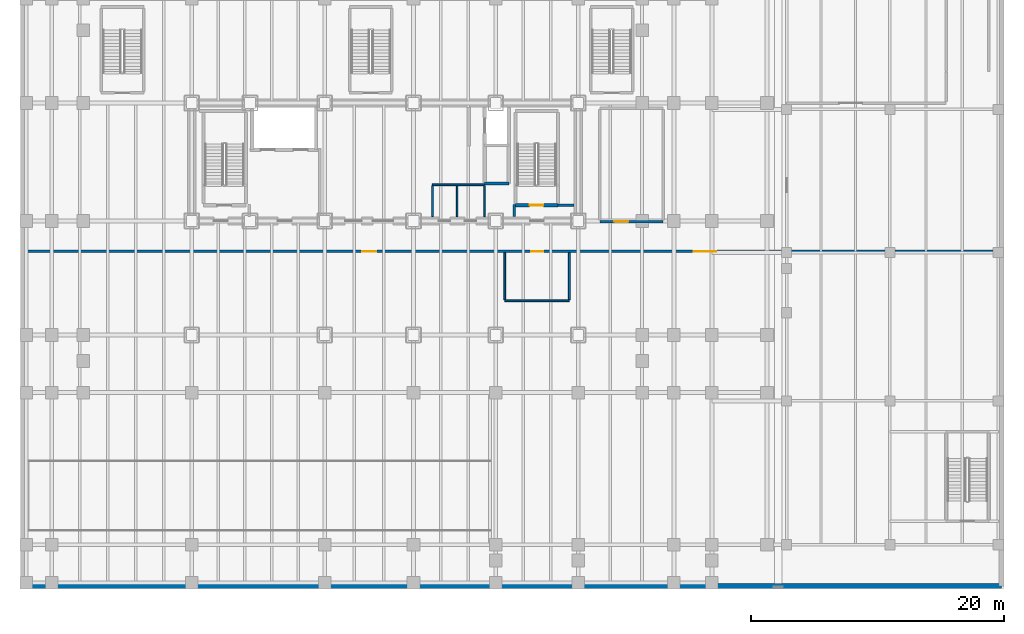
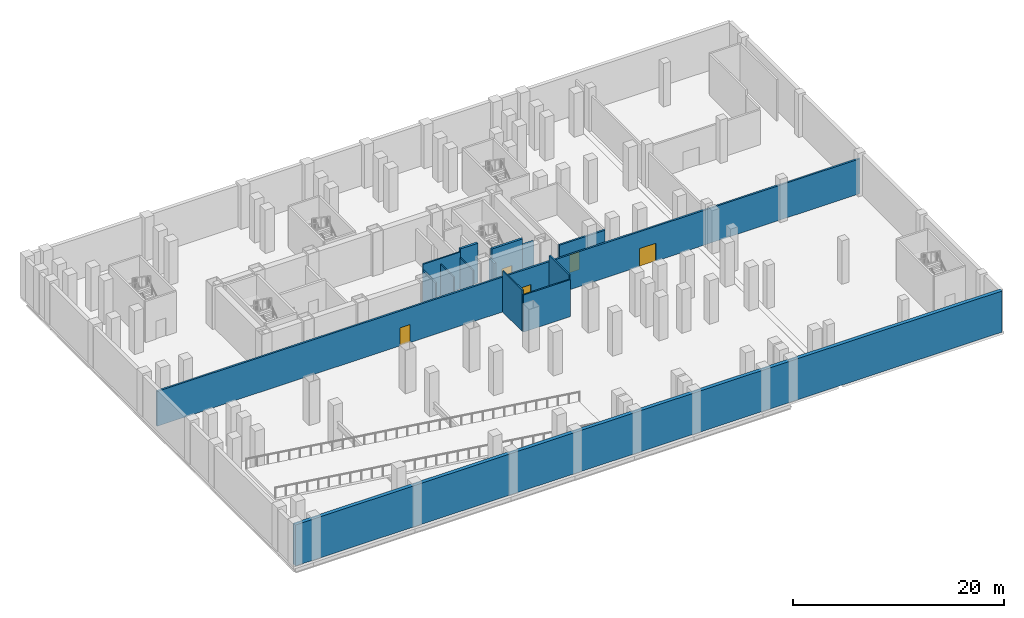
# One storey, part 9 of 18: 14 walls, 5 doors, 5 openings.
"""IFC4 building model written with IfcOpenShell, lengths in metres."""

import ifcopenshell
import ifcopenshell.guid

model = None  # the IFC model being written
_history = None  # IfcOwnerHistory: only IFC2X3 demands one
_inside = {}  # id of a spatial element -> (the spatial element, [elements in it])
_under = {}  # id of a project, library or spatial element -> (it, [spatial elements below it])
_declared = {}  # id of a project -> (the project, [libraries it declares])
_typed = {}  # id of a type object -> (the type object, [elements of that type])
_made_of = {}  # id of a material, layer set ... -> (it, [elements and type objects made of it])


def new_model(schema):
    """Start an empty IFC model of exactly this schema.

    Asked for "IFC4X3", IfcOpenShell would pick the latest addendum, in which some entities
    have other attributes; the version numbers below select the first issue.
    IFC2X3 requires an IfcOwnerHistory on every rooted entity: one is made here for all.
    """
    global model, _history
    if schema == "IFC4X3":
        model = ifcopenshell.file(schema_version=(4, 3, 0, 0))
    else:
        model = ifcopenshell.file(schema=schema)
    _inside.clear()
    _under.clear()
    _declared.clear()
    _typed.clear()
    _made_of.clear()
    _history = None
    if model.schema == "IFC2X3":
        org = make("IfcOrganization", Name="unknown")
        user = make(
            "IfcPersonAndOrganization",
            ThePerson=make("IfcPerson", FamilyName="unknown"),
            TheOrganization=org,
        )
        app = make(
            "IfcApplication",
            ApplicationDeveloper=org,
            Version="unknown",
            ApplicationFullName="unknown",
            ApplicationIdentifier="unknown",
        )
        _history = make(
            "IfcOwnerHistory",
            OwningUser=user,
            OwningApplication=app,
            ChangeAction="ADDED",
            CreationDate=0,
        )
    return model


def make(cls, **values):
    """One entity of the class cls with the attributes given. An attribute that is None is left unset."""
    return model.create_entity(
        cls, **{name: value for name, value in values.items() if value is not None}
    )


def rooted(cls, **values):
    """An entity with a GlobalId (a new one), such as an element, a storey or a relation."""
    return make(cls, GlobalId=ifcopenshell.guid.new(), OwnerHistory=_history, **values)


def si_unit(unit_type, name, prefix=None):
    """IfcSIUnit, for example si_unit("LENGTHUNIT", "METRE", prefix="MILLI")."""
    return make("IfcSIUnit", UnitType=unit_type, Prefix=prefix, Name=name)


def assignment(units):
    """IfcUnitAssignment: the units of a project."""
    return None if units is None else make("IfcUnitAssignment", Units=units)


def point(xyz):
    """IfcCartesianPoint."""
    return None if xyz is None else make("IfcCartesianPoint", Coordinates=xyz)


def direction(xyz):
    """IfcDirection."""
    return None if xyz is None else make("IfcDirection", DirectionRatios=xyz)


def frame(location, z_axis=None, x_axis=None):
    """IfcAxis2Placement3D, a coordinate frame: its origin and axes. An axis left out is left unset."""
    return make(
        "IfcAxis2Placement3D",
        Location=point(location),
        Axis=direction(z_axis),
        RefDirection=direction(x_axis),
    )


def frame_2d(location, x_axis=None):
    """IfcAxis2Placement2D, a coordinate frame in the plane: its origin and x axis."""
    return make(
        "IfcAxis2Placement2D", Location=point(location), RefDirection=direction(x_axis)
    )


def origin():
    """The frame at (0, 0, 0) with its axes left unset."""
    return frame((0.0, 0.0, 0.0))


def place(relative_to, where):
    """IfcLocalPlacement: puts the frame where relative to a parent placement (None: the world)."""
    return make(
        "IfcLocalPlacement", PlacementRelTo=relative_to, RelativePlacement=where
    )


def context(
    kind, dimensions, precision=None, world=None, true_north=None, identifier=None
):
    """IfcGeometricRepresentationContext, for example the 3D "Model" context."""
    return make(
        "IfcGeometricRepresentationContext",
        ContextIdentifier=identifier,
        ContextType=kind,
        CoordinateSpaceDimension=dimensions,
        Precision=precision,
        WorldCoordinateSystem=world,
        TrueNorth=true_north,
    )


def subcontext(parent, identifier, kind, view, scale=None):
    """IfcGeometricRepresentationSubContext, for example "Body" below "Model"."""
    return make(
        "IfcGeometricRepresentationSubContext",
        ContextIdentifier=identifier,
        ContextType=kind,
        ParentContext=parent,
        TargetScale=scale,
        TargetView=view,
    )


def project(units=None, contexts=None):
    """IfcProject with its units and contexts."""
    return rooted(
        "IfcProject",
        Name="project",
        RepresentationContexts=contexts,
        UnitsInContext=assignment(units),
    )


def spatial(cls, under=None, at=None, **own):
    """A site, building, storey or space (cls), placed at a placement, below another one or the project."""
    s = rooted(cls, ObjectPlacement=at, **own)
    if under is not None:
        _under.setdefault(under.id(), (under, []))[1].append(s)
    return s


def profile(cls, at=None, kind="AREA", **sizes):
    """A parametric profile (cls). Its sizes go by their IFC names, for example OverallWidth=200.0."""
    return make(cls, ProfileType=kind, Position=at, **sizes)


def rectangle(**sizes):
    """IfcRectangleProfileDef."""
    return profile("IfcRectangleProfileDef", **sizes)


def extrude(swept, where, along, depth):
    """IfcExtrudedAreaSolid: the profile swept, set in the frame where, extruded along a direction by depth."""
    return make(
        "IfcExtrudedAreaSolid",
        SweptArea=swept,
        Position=where,
        ExtrudedDirection=direction(along),
        Depth=depth,
    )


def shape(context_of_items, identifier, shape_type, items):
    """IfcShapeRepresentation: the items that make up one representation, for example the "Body"."""
    return make(
        "IfcShapeRepresentation",
        ContextOfItems=context_of_items,
        RepresentationIdentifier=identifier,
        RepresentationType=shape_type,
        Items=items,
    )


def material(Name=None, Category=None):
    """IfcMaterial."""
    return make("IfcMaterial", Name=Name, Category=Category)


def layer(
    of_material, thickness, ventilated=None, Name=None, Category=None, Priority=None
):
    """IfcMaterialLayer: one layer of a wall or slab, of a material (None: an air gap)."""
    return make(
        "IfcMaterialLayer",
        Material=of_material,
        LayerThickness=thickness,
        IsVentilated=ventilated,
        Name=Name,
        Category=Category,
        Priority=Priority,
    )


def layer_set(layers, Name=None):
    """IfcMaterialLayerSet."""
    return make("IfcMaterialLayerSet", MaterialLayers=layers, LayerSetName=Name)


def made_of(thing, what):
    """Note that an element or type object is made of a material, layer set ...; save() writes the relation."""
    if what is not None:
        _made_of.setdefault(what.id(), (what, []))[1].append(thing)
    return thing


def type_object(cls, material=None, **own):
    """A type object (cls), such as IfcWallType, which elements share."""
    return made_of(rooted(cls, **own), material)


def element(
    cls,
    number,
    at=None,
    inside=None,
    cuts=None,
    type_object=None,
    material=None,
    context=None,
    identifier="Body",
    shape_type=None,
    held_by="IfcProductDefinitionShape",
    body=None,
    shapes=None,
    **own,
):
    """One element of the class cls, such as IfcWall. Its Tag is "e" and its number.

    at: its placement. inside: the storey or other place that contains it. cuts: it is an
    opening in that element (IfcRelVoidsElement). A single representation is given by context,
    identifier, shape_type and body (its items); several are given by shapes. held_by: the class
    of the entity that holds the representations. save() writes the other relations.
    """
    e = rooted(cls, Tag="e%d" % number, ObjectPlacement=at, **own)
    if body is not None:
        shapes = [shape(context, identifier, shape_type, body)]
    if shapes is not None:
        e.Representation = make(held_by, Representations=shapes)
    if inside is not None:
        _inside.setdefault(inside.id(), (inside, []))[1].append(e)
    if cuts is not None:
        rooted(
            "IfcRelVoidsElement", RelatingBuildingElement=cuts, RelatedOpeningElement=e
        )
    if type_object is not None:
        _typed.setdefault(type_object.id(), (type_object, []))[1].append(e)
    return made_of(e, material)


def fill(opening, filler):
    """IfcRelFillsElement: the door or window that sits in an opening."""
    return rooted(
        "IfcRelFillsElement",
        RelatingOpeningElement=opening,
        RelatedBuildingElement=filler,
    )


def aggregate(whole, parts):
    """IfcRelAggregates: a whole, such as a stair, and the parts it consists of."""
    return rooted("IfcRelAggregates", RelatingObject=whole, RelatedObjects=parts)


def save(model, path):
    """Write the relations noted so far, then the file.

    IfcRelAggregates (storeys below a building ...), IfcRelContainedInSpatialStructure (elements
    in a storey), IfcRelDefinesByType, IfcRelAssociatesMaterial and IfcRelDeclares: one each for
    every whole, place, type object, material and project.
    """
    for whole, parts in _under.values():
        aggregate(whole, parts)
    for where, things in _inside.values():
        rooted(
            "IfcRelContainedInSpatialStructure",
            RelatedElements=things,
            RelatingStructure=where,
        )
    for kind, things in _typed.values():
        rooted("IfcRelDefinesByType", RelatedObjects=things, RelatingType=kind)
    for what, things in _made_of.values():
        rooted("IfcRelAssociatesMaterial", RelatedObjects=things, RelatingMaterial=what)
    for by, libraries in _declared.values():
        rooted("IfcRelDeclares", RelatingContext=by, RelatedDefinitions=libraries)
    model.write(path)


model = new_model("IFC4")

# Units and contexts
model_context = context("Model", 3, precision=1e-05, world=origin(), true_north=direction((0.0, 1.0)))
body_context = subcontext(model_context, "Body", "Model", "MODEL_VIEW")
ifc_project = project(units=[si_unit("LENGTHUNIT", "METRE"), si_unit("AREAUNIT", "SQUARE_METRE"), si_unit("VOLUMEUNIT", "CUBIC_METRE"), si_unit("PLANEANGLEUNIT", "RADIAN"), si_unit("MASSUNIT", "GRAM", prefix="KILO")], contexts=[model_context])

# Site, building, storey
site_placement = place(None, origin())
site = spatial("IfcSite", under=ifc_project, at=site_placement, CompositionType="ELEMENT")
building_placement = place(site_placement, origin())
building = spatial("IfcBuilding", under=site, at=building_placement, Name="Noeulbin Bourse Tower", CompositionType="ELEMENT")
storey_placement = place(building_placement, frame((0.0, 0.0, -5.0)))
storey = spatial("IfcBuildingStorey", under=building, at=storey_placement, Name="B01", CompositionType="ELEMENT", Elevation=-5.0)

# Wall, openings, doors
ifc_material_1 = material(Name="Concrete C40/50", Category="concrete")
ifc_layer_1 = layer(ifc_material_1, 0.199951171875)
ifc_layer_set_1 = layer_set([ifc_layer_1], Name="Concrete C40/50")
wall_type_1 = type_object("IfcWallType", Name="WAL-FIRE-200", PredefinedType="STANDARD", material=ifc_layer_set_1)
wall_1_placement = place(storey_placement, frame((0.39990234375, 26.60009765625, 0.0), z_axis=(0.0, 0.0, 1.0), x_axis=(1.0, 0.0, 0.0)))
wall_1 = element("IfcWall", 1, at=wall_1_placement, inside=storey, type_object=wall_type_1, Name="Interior Partition Wall B01-01", PredefinedType="STANDARD", context=body_context, shape_type="SweptSolid", body=[
    extrude(rectangle(XDim=76.800048828125, YDim=0.199951171875, at=frame_2d((38.39990234375, 0.0))), origin(), (0.0, 0.0, 1.0), 4.030029296875),
])
opening_1_placement = place(wall_1_placement, frame((26.550048828125, 0.0, 0.0)))
opening_1 = element("IfcOpeningElement", 2, at=opening_1_placement, cuts=wall_1, Name="Opening FD-11", PredefinedType="OPENING", context=body_context, shape_type="SweptSolid", body=[
    extrude(rectangle(XDim=1.10009765625, YDim=2.080078125, at=frame_2d((0.550048828125, 1.0400390625))), frame((0.0, 0.10986328125, 0.0), z_axis=(0.0, -1.0, 0.0), x_axis=(1.0, 0.0, 0.0)), (0.0, 0.0, 1.0), 0.219970703125),
])
opening_2_placement = place(wall_1_placement, frame((39.875, 0.0, 0.0)))
opening_2 = element("IfcOpeningElement", 3, at=opening_2_placement, cuts=wall_1, Name="Opening ID-09", PredefinedType="OPENING", context=body_context, shape_type="SweptSolid", body=[
    extrude(rectangle(XDim=0.949951171875, YDim=2.080078125, at=frame_2d((0.47509765625, 1.0400390625))), frame((0.0, 0.10986328125, 0.0), z_axis=(0.0, -1.0, 0.0), x_axis=(1.0, 0.0, 0.0)), (0.0, 0.0, 1.0), 0.219970703125),
])
opening_3_placement = place(wall_1_placement, frame((52.699951171875, 0.0, 0.0)))
opening_3 = element("IfcOpeningElement", 4, at=opening_3_placement, cuts=wall_1, Name="Opening ID-18", PredefinedType="OPENING", context=body_context, shape_type="SweptSolid", body=[
    extrude(rectangle(XDim=1.800048828125, YDim=2.080078125, at=frame_2d((0.89990234375, 1.0400390625))), frame((0.0, 0.10986328125, 0.0), z_axis=(0.0, -1.0, 0.0), x_axis=(1.0, 0.0, 0.0)), (0.0, 0.0, 1.0), 0.219970703125),
])
ifc_material_2 = material(Name="Fire-Rated Glazed Steel", Category="steel")
door_type_1 = type_object("IfcDoorType", Name="DR-DBL-1800", OperationType="DOUBLE_DOOR_SINGLE_SWING", PredefinedType="DOOR", material=ifc_material_2)
door_1_placement = place(opening_3_placement, origin())
door_1 = element("IfcDoor", 5, at=door_1_placement, inside=storey, type_object=door_type_1, Name="Interior Door B01-03", OperationType="DOUBLE_DOOR_SINGLE_SWING", OverallHeight=2.080078125, OverallWidth=1.800048828125, PredefinedType="DOOR", context=body_context, shape_type="SweptSolid", body=[
    extrude(rectangle(XDim=1.800048828125, YDim=2.080078125, at=frame_2d((0.89990234375, 1.0400390625))), frame((0.0, 0.02490234375, 0.0), z_axis=(0.0, -1.0, 0.0), x_axis=(1.0, 0.0, 0.0)), (0.0, 0.0, 1.0), 0.050048828125),
])
fill(opening_3, door_1)
ifc_material_3 = material(Name="Fire-Rated Insulated Steel", Category="steel")
door_type_2 = type_object("IfcDoorType", Name="DR-FD60-1100", OperationType="SINGLE_SWING_LEFT", PredefinedType="DOOR", material=ifc_material_3)
door_2_placement = place(opening_1_placement, origin())
door_2 = element("IfcDoor", 6, at=door_2_placement, inside=storey, type_object=door_type_2, Name="Interior Door B01-01", OperationType="SINGLE_SWING_LEFT", OverallHeight=2.080078125, OverallWidth=1.10009765625, PredefinedType="DOOR", context=body_context, shape_type="SweptSolid", body=[
    extrude(rectangle(XDim=1.10009765625, YDim=2.080078125, at=frame_2d((0.550048828125, 1.0400390625))), frame((0.0, 0.02490234375, 0.0), z_axis=(0.0, -1.0, 0.0), x_axis=(1.0, 0.0, 0.0)), (0.0, 0.0, 1.0), 0.050048828125),
])
fill(opening_1, door_2)
ifc_material_4 = material(Name="Acoustic Solid-Core Timber", Category="wood")
door_type_3 = type_object("IfcDoorType", Name="DR-SINGLE-950", OperationType="SINGLE_SWING_LEFT", PredefinedType="DOOR", material=ifc_material_4)
door_3_placement = place(opening_2_placement, origin())
door_3 = element("IfcDoor", 7, at=door_3_placement, inside=storey, type_object=door_type_3, Name="Interior Door B01-02", OperationType="SINGLE_SWING_RIGHT", OverallHeight=2.080078125, OverallWidth=0.949951171875, PredefinedType="DOOR", context=body_context, shape_type="SweptSolid", body=[
    extrude(rectangle(XDim=0.949951171875, YDim=2.080078125, at=frame_2d((0.47509765625, 1.0400390625))), frame((0.0, 0.02490234375, 0.0), z_axis=(0.0, -1.0, 0.0), x_axis=(1.0, 0.0, 0.0)), (0.0, 0.0, 1.0), 0.050048828125),
])
fill(opening_2, door_3)

# Wall, opening, door
wall_2_placement = place(storey_placement, frame((45.699951171875, 28.949951171875, 0.0), z_axis=(0.0, 0.0, 1.0), x_axis=(1.0, 0.0, 0.0)))
wall_2 = element("IfcWall", 8, at=wall_2_placement, inside=storey, type_object=wall_type_1, Name="Interior Partition Wall B01-03", PredefinedType="STANDARD", context=body_context, shape_type="SweptSolid", body=[
    extrude(rectangle(XDim=5.0, YDim=0.199951171875, at=frame_2d((2.5, 0.0))), origin(), (0.0, 0.0, 1.0), 3.6298828125),
])
opening_4_placement = place(wall_2_placement, frame((1.14990234375, 0.0, 0.0)))
opening_4 = element("IfcOpeningElement", 9, at=opening_4_placement, cuts=wall_2, Name="Opening FD-11", PredefinedType="OPENING", context=body_context, shape_type="SweptSolid", body=[
    extrude(rectangle(XDim=1.10009765625, YDim=2.080078125, at=frame_2d((0.550048828125, 1.0400390625))), frame((0.0, 0.10986328125, 0.0), z_axis=(0.0, -1.0, 0.0), x_axis=(1.0, 0.0, 0.0)), (0.0, 0.0, 1.0), 0.219970703125),
])
door_4_placement = place(opening_4_placement, origin())
door_4 = element("IfcDoor", 10, at=door_4_placement, inside=storey, type_object=door_type_2, Name="Interior Door B01-04", OperationType="SINGLE_SWING_RIGHT", OverallHeight=2.080078125, OverallWidth=1.10009765625, PredefinedType="DOOR", context=body_context, shape_type="SweptSolid", body=[
    extrude(rectangle(XDim=1.10009765625, YDim=2.080078125, at=frame_2d((0.550048828125, 1.0400390625))), frame((0.0, 0.02490234375, 0.0), z_axis=(0.0, -1.0, 0.0), x_axis=(1.0, 0.0, 0.0)), (0.0, 0.0, 1.0), 0.050048828125),
])
fill(opening_4, door_4)

# Walls
wall_3_placement = place(storey_placement, frame((42.39990234375, 30.239990234375, 0.0), z_axis=(0.0, 0.0, 1.0), x_axis=(1.0, 0.0, 0.0)))
element("IfcWall", 11, at=wall_3_placement, inside=storey, type_object=wall_type_1, Name="Interior Partition Wall B01-06", PredefinedType="STANDARD", context=body_context, shape_type="SweptSolid", body=[
    extrude(rectangle(XDim=1.26513671875, YDim=0.199951171875, at=frame_2d((0.632568359375, 0.0))), origin(), (0.0, 0.0, 1.0), 4.030029296875),
])
wall_4_placement = place(storey_placement, frame((38.949951171875, 29.3349609375, 0.0), z_axis=(0.0, 0.0, 1.0), x_axis=(0.0, 1.0, 0.0)))
element("IfcWall", 12, at=wall_4_placement, inside=storey, type_object=wall_type_1, Name="Interior Partition Wall B01-15", PredefinedType="STANDARD", context=body_context, shape_type="SweptSolid", body=[
    extrude(rectangle(XDim=0.965087890625, YDim=0.199951171875, at=frame_2d((0.482421875, 0.0))), origin(), (0.0, 0.0, 1.0), 3.6298828125),
])
ifc_material_5 = material(Name="Steel Stud Gypsum Partition", Category="steel")
ifc_layer_2 = layer(ifc_material_5, 0.1201171875)
ifc_layer_set_2 = layer_set([ifc_layer_2], Name="Steel Stud Gypsum Partition")
wall_type_2 = type_object("IfcWallType", Name="WAL-PRT-120", PredefinedType="PARTITIONING", material=ifc_layer_set_2)
for number, where, z_axis, x_axis, name in (
    (13, (36.60009765625, 29.3349609375, 0.0), (0.0, 0.0, 1.0), (0.0, 1.0, 0.0), "Interior Partition Wall B01-18"),
    (14, (34.449951171875, 29.3349609375, 0.0), (0.0, 0.0, 1.0), (0.0, 1.0, 0.0), "Interior Partition Wall B01-19"),
):
    element("IfcWall", number, at=place(storey_placement, frame(where, z_axis=z_axis, x_axis=x_axis)), inside=storey, type_object=wall_type_2, Name=name, PredefinedType="PARTITIONING", context=body_context, shape_type="SweptSolid", body=[
        extrude(rectangle(XDim=2.429931640625, YDim=0.1201171875, at=frame_2d((1.21484375, 0.0))), origin(), (0.0, 0.0, 1.0), 3.6298828125),
    ])
ifc_material_6 = material(Name="Steel Stud Acoustic Gypsum Board", Category="steel")
ifc_layer_3 = layer(ifc_material_6, 0.14990234375)
ifc_layer_set_3 = layer_set([ifc_layer_3], Name="Steel Stud Acoustic Gypsum Board")
wall_type_3 = type_object("IfcWallType", Name="WAL-PRT-150", PredefinedType="PARTITIONING", material=ifc_layer_set_3)
wall_5_placement = place(storey_placement, frame((38.199951171875, 22.699951171875, 0.0), z_axis=(0.0, 0.0, 1.0), x_axis=(1.0, 0.0, 0.0)))
element("IfcWall", 15, at=wall_5_placement, inside=storey, type_object=wall_type_3, Name="Interior Partition Wall B01-02", PredefinedType="PARTITIONING", context=body_context, shape_type="SweptSolid", body=[
    extrude(rectangle(XDim=5.10009765625, YDim=0.14990234375, at=frame_2d((2.550048828125, 0.0))), origin(), (0.0, 0.0, 1.0), 4.280029296875),
])
wall_6_placement = place(storey_placement, frame((32.5, 31.85009765625, 0.0), z_axis=(0.0, 0.0, 1.0), x_axis=(1.0, 0.0, 0.0)))
element("IfcWall", 16, at=wall_6_placement, inside=storey, type_object=wall_type_3, Name="Interior Partition Wall B01-07", PredefinedType="PARTITIONING", context=body_context, shape_type="SweptSolid", body=[
    extrude(rectangle(XDim=4.10009765625, YDim=0.14990234375, at=frame_2d((2.050048828125, 0.0))), origin(), (0.0, 0.0, 1.0), 4.280029296875),
])
for number, where, z_axis, x_axis, name in (
    (17, (38.199951171875, 22.784912109375, 0.0), (0.0, 0.0, 1.0), (0.0, 1.0, 0.0), "Interior Partition Wall B01-08"),
    (18, (43.300048828125, 22.784912109375, 0.0), (0.0, 0.0, 1.0), (0.0, 1.0, 0.0), "Interior Partition Wall B01-09"),
):
    element("IfcWall", number, at=place(storey_placement, frame(where, z_axis=z_axis, x_axis=x_axis)), inside=storey, type_object=wall_type_3, Name=name, PredefinedType="PARTITIONING", context=body_context, shape_type="SweptSolid", body=[
        extrude(rectangle(XDim=3.705078125, YDim=0.14990234375, at=frame_2d((1.8525390625, 0.0))), origin(), (0.0, 0.0, 1.0), 4.75),
    ])
wall_7_placement = place(storey_placement, frame((32.5, 29.3349609375, 0.0), z_axis=(0.0, 0.0, 1.0), x_axis=(0.0, 1.0, 0.0)))
element("IfcWall", 19, at=wall_7_placement, inside=storey, type_object=wall_type_3, Name="Interior Partition Wall B01-17", PredefinedType="PARTITIONING", context=body_context, shape_type="SweptSolid", body=[
    extrude(rectangle(XDim=2.429931640625, YDim=0.14990234375, at=frame_2d((1.21484375, 0.0))), origin(), (0.0, 0.0, 1.0), 3.6298828125),
])
ifc_material_7 = material(Name="Concrete C50/60", Category="concrete")
ifc_layer_4 = layer(ifc_material_7, 0.39990234375)
ifc_layer_set_4 = layer_set([ifc_layer_4], Name="Concrete C50/60")
wall_type_4 = type_object("IfcWallType", Name="WAL-RET-400", PredefinedType="SOLIDWALL", material=ifc_layer_set_4)
wall_8_placement = place(storey_placement, frame((0.199951171875, 0.199951171875, 0.0), z_axis=(0.0, 0.0, 1.0), x_axis=(1.0, 0.0, 0.0)))
element("IfcWall", 20, at=wall_8_placement, inside=storey, type_object=wall_type_4, Name="Basement Perimeter Retaining Wall B01-S", PredefinedType="SOLIDWALL", context=body_context, shape_type="SweptSolid", body=[
    extrude(rectangle(XDim=77.199951171875, YDim=0.39990234375, at=frame_2d((38.60009765625, 0.0))), origin(), (0.0, 0.0, 1.0), 4.75),
])

# Wall, opening, door
ifc_layer_5 = layer(ifc_material_1, 0.25)
ifc_layer_set_5 = layer_set([ifc_layer_5], Name="Concrete C40/50")
wall_type_5 = type_object("IfcWallType", Name="WAL-SHFT-250", PredefinedType="STANDARD", material=ifc_layer_set_5)
wall_9_placement = place(storey_placement, frame((39.06005859375, 30.235107421875, 0.0), z_axis=(0.0, 0.0, 1.0), x_axis=(1.0, 0.0, 0.0)))
wall_9 = element("IfcWall", 21, at=wall_9_placement, inside=storey, type_object=wall_type_5, Name="Stair ST-2 South Shaft Wall B01", PredefinedType="STANDARD", context=body_context, shape_type="SweptSolid", body=[
    extrude(rectangle(XDim=3.33984375, YDim=0.25, at=frame_2d((1.669921875, 0.0))), origin(), (0.0, 0.0, 1.0), 4.75),
])
opening_5_placement = place(wall_9_placement, frame((1.10009765625, 0.0, 0.0)))
opening_5 = element("IfcOpeningElement", 22, at=opening_5_placement, cuts=wall_9, Name="Opening FD-11", PredefinedType="OPENING", context=body_context, shape_type="SweptSolid", body=[
    extrude(rectangle(XDim=1.10009765625, YDim=2.080078125, at=frame_2d((0.550048828125, 1.0400390625))), frame((0.0, 0.135009765625, 0.0), z_axis=(0.0, -1.0, 0.0), x_axis=(1.0, 0.0, 0.0)), (0.0, 0.0, 1.0), 0.27001953125),
])
door_5_placement = place(opening_5_placement, origin())
door_5 = element("IfcDoor", 23, at=door_5_placement, inside=storey, type_object=door_type_2, Name="Protected Stair Entry Door ST2-B01", OperationType="SINGLE_SWING_RIGHT", OverallHeight=2.080078125, OverallWidth=1.10009765625, PredefinedType="DOOR", context=body_context, shape_type="SweptSolid", body=[
    extrude(rectangle(XDim=1.10009765625, YDim=2.080078125, at=frame_2d((0.550048828125, 1.0400390625))), frame((0.0, 0.02490234375, 0.0), z_axis=(0.0, -1.0, 0.0), x_axis=(1.0, 0.0, 0.0)), (0.0, 0.0, 1.0), 0.050048828125),
])
fill(opening_5, door_5)

# Wall
wall_10_placement = place(storey_placement, frame((36.6201171875, 31.949951171875, 0.0), z_axis=(0.0, 0.0, 1.0), x_axis=(1.0, 0.0, 0.0)))
element("IfcWall", 24, at=wall_10_placement, inside=storey, type_object=wall_type_5, Name="Service Lift South Shaft Wall B01", PredefinedType="STANDARD", context=body_context, shape_type="SweptSolid", body=[
    extrude(rectangle(XDim=1.89990234375, YDim=0.25, at=frame_2d((0.949951171875, 0.0))), origin(), (0.0, 0.0, 1.0), 4.580078125),
])

save(model, "model.ifc")
